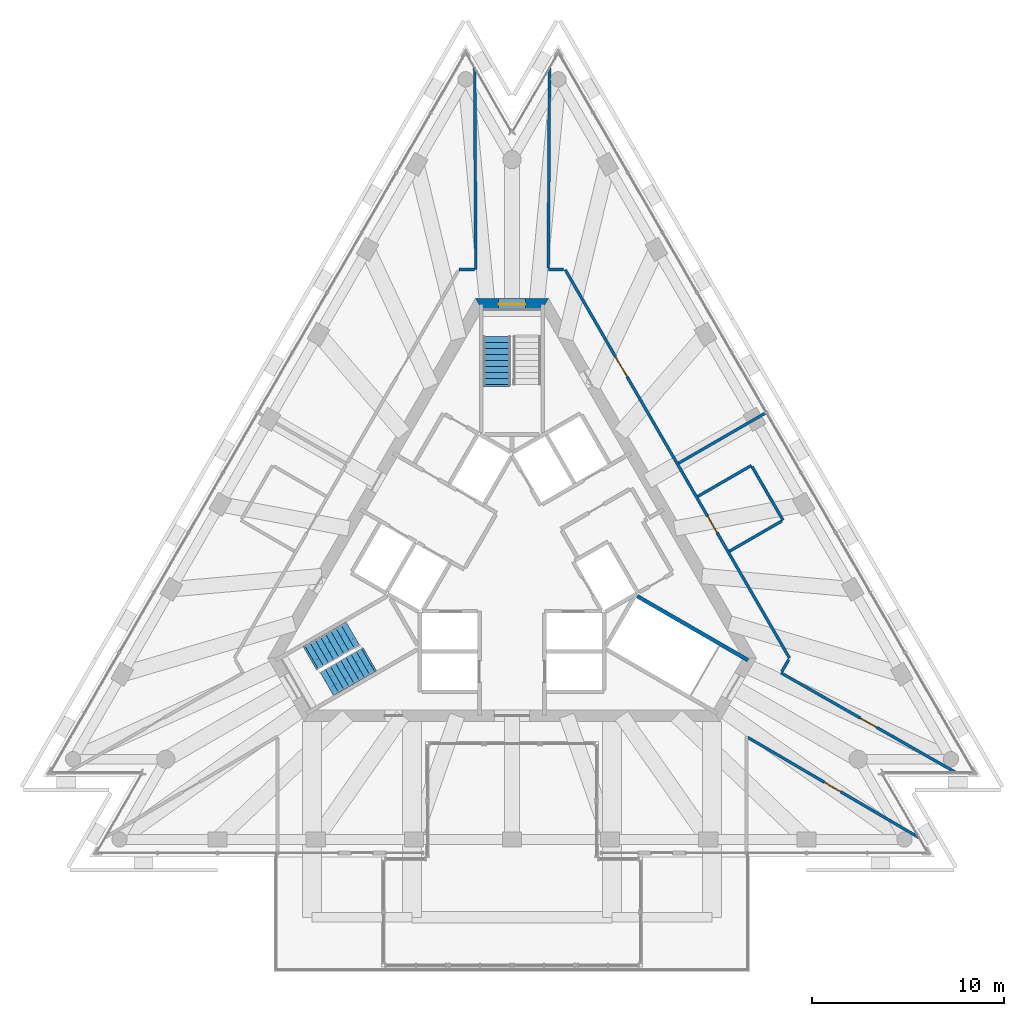
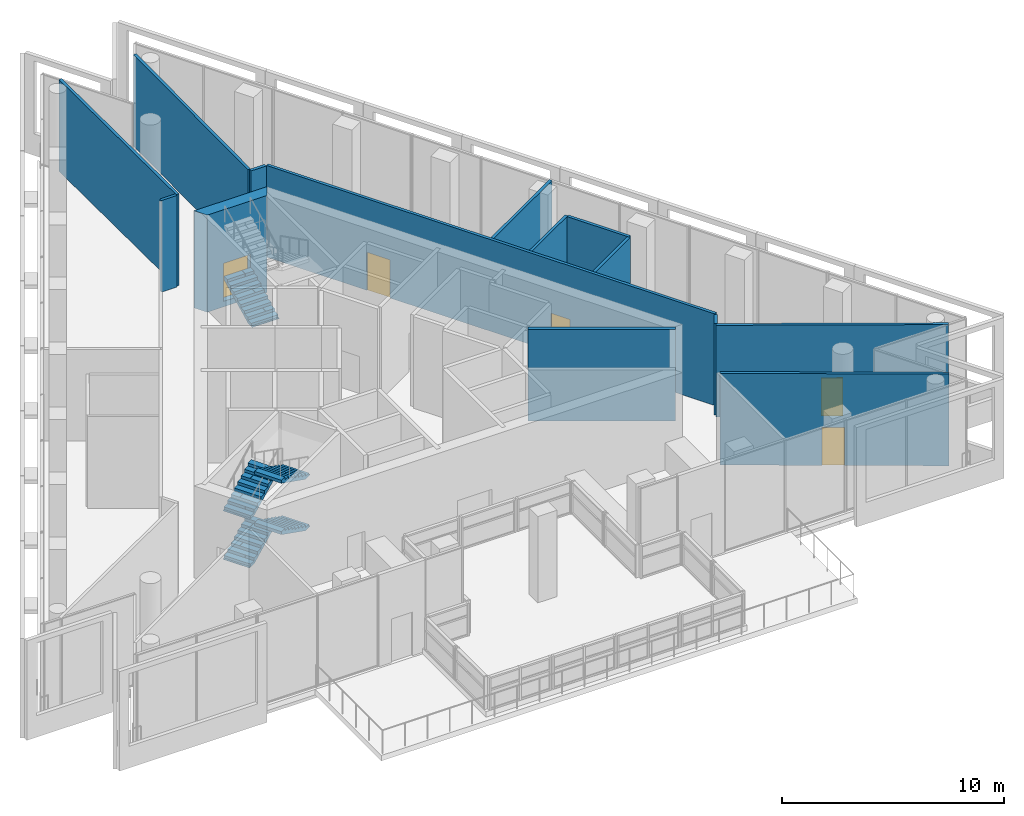
# One storey, part 14 of 17: 14 walls, 5 doors, 5 stair flights, 5 openings, 2 elements without a shape of their own.
"""IFC4 building model written with IfcOpenShell, lengths in metres."""

import ifcopenshell
import ifcopenshell.guid

model = None  # the IFC model being written
_history = None  # IfcOwnerHistory: only IFC2X3 demands one
_inside = {}  # id of a spatial element -> (the spatial element, [elements in it])
_under = {}  # id of a project, library or spatial element -> (it, [spatial elements below it])
_declared = {}  # id of a project -> (the project, [libraries it declares])
_typed = {}  # id of a type object -> (the type object, [elements of that type])
_made_of = {}  # id of a material, layer set ... -> (it, [elements and type objects made of it])


def new_model(schema):
    """Start an empty IFC model of exactly this schema.

    Asked for "IFC4X3", IfcOpenShell would pick the latest addendum, in which some entities
    have other attributes; the version numbers below select the first issue.
    IFC2X3 requires an IfcOwnerHistory on every rooted entity: one is made here for all.
    """
    global model, _history
    if schema == "IFC4X3":
        model = ifcopenshell.file(schema_version=(4, 3, 0, 0))
    else:
        model = ifcopenshell.file(schema=schema)
    _inside.clear()
    _under.clear()
    _declared.clear()
    _typed.clear()
    _made_of.clear()
    _history = None
    if model.schema == "IFC2X3":
        org = make("IfcOrganization", Name="unknown")
        user = make(
            "IfcPersonAndOrganization",
            ThePerson=make("IfcPerson", FamilyName="unknown"),
            TheOrganization=org,
        )
        app = make(
            "IfcApplication",
            ApplicationDeveloper=org,
            Version="unknown",
            ApplicationFullName="unknown",
            ApplicationIdentifier="unknown",
        )
        _history = make(
            "IfcOwnerHistory",
            OwningUser=user,
            OwningApplication=app,
            ChangeAction="ADDED",
            CreationDate=0,
        )
    return model


def make(cls, **values):
    """One entity of the class cls with the attributes given. An attribute that is None is left unset."""
    return model.create_entity(
        cls, **{name: value for name, value in values.items() if value is not None}
    )


def rooted(cls, **values):
    """An entity with a GlobalId (a new one), such as an element, a storey or a relation."""
    return make(cls, GlobalId=ifcopenshell.guid.new(), OwnerHistory=_history, **values)


def si_unit(unit_type, name, prefix=None):
    """IfcSIUnit, for example si_unit("LENGTHUNIT", "METRE", prefix="MILLI")."""
    return make("IfcSIUnit", UnitType=unit_type, Prefix=prefix, Name=name)


def assignment(units):
    """IfcUnitAssignment: the units of a project."""
    return None if units is None else make("IfcUnitAssignment", Units=units)


def point(xyz):
    """IfcCartesianPoint."""
    return None if xyz is None else make("IfcCartesianPoint", Coordinates=xyz)


def direction(xyz):
    """IfcDirection."""
    return None if xyz is None else make("IfcDirection", DirectionRatios=xyz)


def frame(location, z_axis=None, x_axis=None):
    """IfcAxis2Placement3D, a coordinate frame: its origin and axes. An axis left out is left unset."""
    return make(
        "IfcAxis2Placement3D",
        Location=point(location),
        Axis=direction(z_axis),
        RefDirection=direction(x_axis),
    )


def frame_2d(location, x_axis=None):
    """IfcAxis2Placement2D, a coordinate frame in the plane: its origin and x axis."""
    return make(
        "IfcAxis2Placement2D", Location=point(location), RefDirection=direction(x_axis)
    )


def origin():
    """The frame at (0, 0, 0) with its axes left unset."""
    return frame((0.0, 0.0, 0.0))


def place(relative_to, where):
    """IfcLocalPlacement: puts the frame where relative to a parent placement (None: the world)."""
    return make(
        "IfcLocalPlacement", PlacementRelTo=relative_to, RelativePlacement=where
    )


def context(
    kind, dimensions, precision=None, world=None, true_north=None, identifier=None
):
    """IfcGeometricRepresentationContext, for example the 3D "Model" context."""
    return make(
        "IfcGeometricRepresentationContext",
        ContextIdentifier=identifier,
        ContextType=kind,
        CoordinateSpaceDimension=dimensions,
        Precision=precision,
        WorldCoordinateSystem=world,
        TrueNorth=true_north,
    )


def subcontext(parent, identifier, kind, view, scale=None):
    """IfcGeometricRepresentationSubContext, for example "Body" below "Model"."""
    return make(
        "IfcGeometricRepresentationSubContext",
        ContextIdentifier=identifier,
        ContextType=kind,
        ParentContext=parent,
        TargetScale=scale,
        TargetView=view,
    )


def project(units=None, contexts=None):
    """IfcProject with its units and contexts."""
    return rooted(
        "IfcProject",
        Name="project",
        RepresentationContexts=contexts,
        UnitsInContext=assignment(units),
    )


def spatial(cls, under=None, at=None, **own):
    """A site, building, storey or space (cls), placed at a placement, below another one or the project."""
    s = rooted(cls, ObjectPlacement=at, **own)
    if under is not None:
        _under.setdefault(under.id(), (under, []))[1].append(s)
    return s


def polyline(points):
    """IfcPolyline through the points."""
    return make("IfcPolyline", Points=[point(p) for p in points])


def profile(cls, at=None, kind="AREA", **sizes):
    """A parametric profile (cls). Its sizes go by their IFC names, for example OverallWidth=200.0."""
    return make(cls, ProfileType=kind, Position=at, **sizes)


def rectangle(**sizes):
    """IfcRectangleProfileDef."""
    return profile("IfcRectangleProfileDef", **sizes)


def outline(outer, holes=None, kind="AREA"):
    """IfcArbitraryClosedProfileDef: a profile drawn as a closed curve; with holes, ...WithVoids."""
    if holes is None:
        return make("IfcArbitraryClosedProfileDef", ProfileType=kind, OuterCurve=outer)
    return make(
        "IfcArbitraryProfileDefWithVoids",
        ProfileType=kind,
        OuterCurve=outer,
        InnerCurves=holes,
    )


def extrude(swept, where, along, depth):
    """IfcExtrudedAreaSolid: the profile swept, set in the frame where, extruded along a direction by depth."""
    return make(
        "IfcExtrudedAreaSolid",
        SweptArea=swept,
        Position=where,
        ExtrudedDirection=direction(along),
        Depth=depth,
    )


def shape(context_of_items, identifier, shape_type, items):
    """IfcShapeRepresentation: the items that make up one representation, for example the "Body"."""
    return make(
        "IfcShapeRepresentation",
        ContextOfItems=context_of_items,
        RepresentationIdentifier=identifier,
        RepresentationType=shape_type,
        Items=items,
    )


def material(Name=None, Category=None):
    """IfcMaterial."""
    return make("IfcMaterial", Name=Name, Category=Category)


def layer(
    of_material, thickness, ventilated=None, Name=None, Category=None, Priority=None
):
    """IfcMaterialLayer: one layer of a wall or slab, of a material (None: an air gap)."""
    return make(
        "IfcMaterialLayer",
        Material=of_material,
        LayerThickness=thickness,
        IsVentilated=ventilated,
        Name=Name,
        Category=Category,
        Priority=Priority,
    )


def layer_set(layers, Name=None):
    """IfcMaterialLayerSet."""
    return make("IfcMaterialLayerSet", MaterialLayers=layers, LayerSetName=Name)


def made_of(thing, what):
    """Note that an element or type object is made of a material, layer set ...; save() writes the relation."""
    if what is not None:
        _made_of.setdefault(what.id(), (what, []))[1].append(thing)
    return thing


def type_object(cls, material=None, **own):
    """A type object (cls), such as IfcWallType, which elements share."""
    return made_of(rooted(cls, **own), material)


def element(
    cls,
    number,
    at=None,
    inside=None,
    cuts=None,
    type_object=None,
    material=None,
    context=None,
    identifier="Body",
    shape_type=None,
    held_by="IfcProductDefinitionShape",
    body=None,
    shapes=None,
    **own,
):
    """One element of the class cls, such as IfcWall. Its Tag is "e" and its number.

    at: its placement. inside: the storey or other place that contains it. cuts: it is an
    opening in that element (IfcRelVoidsElement). A single representation is given by context,
    identifier, shape_type and body (its items); several are given by shapes. held_by: the class
    of the entity that holds the representations. save() writes the other relations.
    """
    e = rooted(cls, Tag="e%d" % number, ObjectPlacement=at, **own)
    if body is not None:
        shapes = [shape(context, identifier, shape_type, body)]
    if shapes is not None:
        e.Representation = make(held_by, Representations=shapes)
    if inside is not None:
        _inside.setdefault(inside.id(), (inside, []))[1].append(e)
    if cuts is not None:
        rooted(
            "IfcRelVoidsElement", RelatingBuildingElement=cuts, RelatedOpeningElement=e
        )
    if type_object is not None:
        _typed.setdefault(type_object.id(), (type_object, []))[1].append(e)
    return made_of(e, material)


def fill(opening, filler):
    """IfcRelFillsElement: the door or window that sits in an opening."""
    return rooted(
        "IfcRelFillsElement",
        RelatingOpeningElement=opening,
        RelatedBuildingElement=filler,
    )


def aggregate(whole, parts):
    """IfcRelAggregates: a whole, such as a stair, and the parts it consists of."""
    return rooted("IfcRelAggregates", RelatingObject=whole, RelatedObjects=parts)


def save(model, path):
    """Write the relations noted so far, then the file.

    IfcRelAggregates (storeys below a building ...), IfcRelContainedInSpatialStructure (elements
    in a storey), IfcRelDefinesByType, IfcRelAssociatesMaterial and IfcRelDeclares: one each for
    every whole, place, type object, material and project.
    """
    for whole, parts in _under.values():
        aggregate(whole, parts)
    for where, things in _inside.values():
        rooted(
            "IfcRelContainedInSpatialStructure",
            RelatedElements=things,
            RelatingStructure=where,
        )
    for kind, things in _typed.values():
        rooted("IfcRelDefinesByType", RelatedObjects=things, RelatingType=kind)
    for what, things in _made_of.values():
        rooted("IfcRelAssociatesMaterial", RelatedObjects=things, RelatingMaterial=what)
    for by, libraries in _declared.values():
        rooted("IfcRelDeclares", RelatingContext=by, RelatedDefinitions=libraries)
    model.write(path)


model = new_model("IFC4")

# Units and contexts
model_context = context("Model", 3, precision=1e-05, world=origin(), true_north=direction((0.0, 1.0)))
body_context = subcontext(model_context, "Body", "Model", "MODEL_VIEW")
ifc_project = project(units=[si_unit("LENGTHUNIT", "METRE"), si_unit("AREAUNIT", "SQUARE_METRE"), si_unit("VOLUMEUNIT", "CUBIC_METRE"), si_unit("PLANEANGLEUNIT", "RADIAN"), si_unit("MASSUNIT", "GRAM", prefix="KILO")], contexts=[model_context])

# Site, building, storey
site_placement = place(None, origin())
site = spatial("IfcSite", under=ifc_project, at=site_placement, CompositionType="ELEMENT")
building_placement = place(site_placement, origin())
building = spatial("IfcBuilding", under=site, at=building_placement, Name="Triada Interchange Tower", CompositionType="ELEMENT")
storey_placement = place(building_placement, frame((0.0, 0.0, 322.300048828125)))
storey = spatial("IfcBuildingStorey", under=building, at=storey_placement, Name="L77", CompositionType="ELEMENT", Elevation=322.300048828125)

# Wall
ifc_material_1 = material(Name="Concrete C30/37", Category="concrete")
ifc_layer_1 = layer(ifc_material_1, 0.199951171875)
ifc_layer_set_1 = layer_set([ifc_layer_1], Name="CORE WALL 200 REI 240")
wall_type_1 = type_object("IfcWallType", Name="CORE WALL 200 REI 240", PredefinedType="SOLIDWALL", material=ifc_layer_set_1)
wall_1_placement = place(storey_placement, frame((6.529052734375, -1.922119140625, 0.0), z_axis=(0.0, 0.0, 1.0), x_axis=(0.866068467981, -0.499925403204, 0.0)))
element("IfcWall", 1, at=wall_1_placement, inside=storey, type_object=wall_type_1, Name="Wall L77 76", PredefinedType="SOLIDWALL", context=body_context, shape_type="SweptSolid", body=[
    extrude(rectangle(XDim=6.66455078125, YDim=0.199951171875, at=frame_2d((3.332275390625, 0.0))), origin(), (0.0, 0.0, 1.0), 5.050048828125),
])

# Wall, opening, door
ifc_material_2 = material(Name="Concrete C40/50", Category="concrete")
ifc_layer_2 = layer(ifc_material_2, 0.60009765625)
ifc_layer_set_2 = layer_set([ifc_layer_2], Name="Core wall D 600")
wall_type_2 = type_object("IfcWallType", Name="Core wall D 600", PredefinedType="SHEAR", material=ifc_layer_set_2)
wall_2_placement = place(storey_placement, frame((1.73193359375, 13.300048828125, -0.300048828125), z_axis=(0.0, 0.0, 1.0), x_axis=(-1.0, 0.0, 0.0)))
wall_2 = element("IfcWall", 2, at=wall_2_placement, inside=storey, type_object=wall_type_2, Name="Core wall WD01 L77", PredefinedType="SHEAR", context=body_context, shape_type="SweptSolid", body=[
    extrude(outline(polyline([(-0.173095703125, -0.300048828125), (1.73193359375, -0.300048828125), (3.636962890625, -0.300048828125), (3.291015625, 0.300048828125), (1.73193359375, 0.300048828125), (0.173095703125, 0.300048828125), (-0.173095703125, -0.300048828125)])), origin(), (0.0, 0.0, 1.0), 5.35009765625),
])
opening_1_placement = place(wall_2_placement, frame((1.031982421875, 0.0, 0.300048828125)))
opening_1 = element("IfcOpeningElement", 3, at=opening_1_placement, cuts=wall_2, Name="Opening D77-21", PredefinedType="OPENING", context=body_context, shape_type="SweptSolid", body=[
    extrude(rectangle(XDim=1.39990234375, YDim=2.10009765625, at=frame_2d((0.699951171875, 1.050048828125))), frame((0.0, 0.31005859375, 0.0), z_axis=(0.0, -1.0, 0.0), x_axis=(1.0, 0.0, 0.0)), (0.0, 0.0, 1.0), 0.6201171875),
])
ifc_material_3 = material(Name="Steel S235 door leaf", Category="steel")
door_type_1 = type_object("IfcDoorType", Name="STAIR DOOR 1400 EI2 90-C5S200", OperationType="DOUBLE_DOOR_SINGLE_SWING", PredefinedType="DOOR", material=ifc_material_3)
door_1_placement = place(opening_1_placement, origin())
door_1 = element("IfcDoor", 4, at=door_1_placement, inside=storey, type_object=door_type_1, Name="Door D77-21 L77", OperationType="DOUBLE_DOOR_SINGLE_SWING", OverallHeight=2.10009765625, OverallWidth=1.39990234375, PredefinedType="DOOR", context=body_context, shape_type="SweptSolid", body=[
    extrude(rectangle(XDim=1.39990234375, YDim=2.10009765625, at=frame_2d((0.699951171875, 1.050048828125))), frame((0.0, 0.02490234375, 0.0), z_axis=(0.0, -1.0, 0.0), x_axis=(1.0, 0.0, 0.0)), (0.0, 0.0, 1.0), 0.050048828125),
])
fill(opening_1, door_1)

# Walls
ifc_material_4 = material(Name="Gypsum board partition")
ifc_layer_3 = layer(ifc_material_4, 0.14990234375)
ifc_layer_set_3 = layer_set([ifc_layer_3], Name="PARTITION 150")
wall_type_3 = type_object("IfcWallType", Name="PARTITION 150", PredefinedType="PARTITIONING", material=ifc_layer_set_3)
wall_3_placement = place(storey_placement, frame((8.681884765625, 5.011962890625, 0.0), z_axis=(0.0, 0.0, 1.0), x_axis=(0.865981328726, 0.500076332472, 0.0)))
element("IfcWall", 5, at=wall_3_placement, inside=storey, type_object=wall_type_3, Name="Wall L77 16", PredefinedType="PARTITIONING", context=body_context, shape_type="SweptSolid", body=[
    extrude(rectangle(XDim=5.275146484375, YDim=0.14990234375, at=frame_2d((2.6376953125, 0.0))), origin(), (0.0, 0.0, 1.0), 5.050048828125),
])
wall_4_placement = place(storey_placement, frame((9.681884765625, 3.280029296875, 0.0), z_axis=(0.0, 0.0, 1.0), x_axis=(0.86597507116, 0.50008716853, 0.0)))
element("IfcWall", 6, at=wall_4_placement, inside=storey, type_object=wall_type_3, Name="Wall L77 17", PredefinedType="PARTITIONING", context=body_context, shape_type="SweptSolid", body=[
    extrude(rectangle(XDim=3.2255859375, YDim=0.14990234375, at=frame_2d((1.61279296875, 0.0))), origin(), (0.0, 0.0, 1.0), 5.050048828125),
])
wall_5_placement = place(storey_placement, frame((12.511962890625, 4.827880859375, 0.0), z_axis=(0.0, 0.0, 1.0), x_axis=(0.50011994908, -0.865956140074, 0.0)))
element("IfcWall", 7, at=wall_5_placement, inside=storey, type_object=wall_type_3, Name="Wall L77 18", PredefinedType="PARTITIONING", context=body_context, shape_type="SweptSolid", body=[
    extrude(rectangle(XDim=3.225341796875, YDim=0.14990234375, at=frame_2d((1.61279296875, 0.0))), origin(), (0.0, 0.0, 1.0), 5.050048828125),
])
wall_6_placement = place(storey_placement, frame((11.33203125, 0.423095703125, 0.0), z_axis=(0.0, 0.0, 1.0), x_axis=(0.866035871367, 0.499981869177, 0.0)))
element("IfcWall", 8, at=wall_6_placement, inside=storey, type_object=wall_type_3, Name="Wall L77 19", PredefinedType="PARTITIONING", context=body_context, shape_type="SweptSolid", body=[
    extrude(rectangle(XDim=3.14990234375, YDim=0.14990234375, at=frame_2d((1.574951171875, 0.0))), origin(), (0.0, 0.0, 1.0), 5.050048828125),
])
ifc_layer_4 = layer(ifc_material_4, 0.14990234375)
ifc_layer_set_4 = layer_set([ifc_layer_4], Name="PARTITION 150 EI 180")
wall_type_4 = type_object("IfcWallType", Name="PARTITION 150 EI 180", PredefinedType="PARTITIONING", material=ifc_layer_set_4)
wall_7_placement = place(storey_placement, frame((-1.945068359375, 25.60009765625, 0.0), z_axis=(0.0, 0.0, 1.0), x_axis=(0.005626771044, -0.999984169599, 0.0)))
element("IfcWall", 9, at=wall_7_placement, inside=storey, type_object=wall_type_4, Name="Wall L77 2", PredefinedType="PARTITIONING", context=body_context, shape_type="SweptSolid", body=[
    extrude(rectangle(XDim=10.500244140625, YDim=0.14990234375, at=frame_2d((5.25, 0.0))), origin(), (0.0, 0.0, 1.0), 5.050048828125),
])
wall_8_placement = place(storey_placement, frame((-2.77099609375, 15.10009765625, 0.0), z_axis=(0.0, 0.0, 1.0), x_axis=(1.0, 0.0, 0.0)))
element("IfcWall", 10, at=wall_8_placement, inside=storey, type_object=wall_type_4, Name="Wall L77 3", PredefinedType="PARTITIONING", context=body_context, shape_type="SweptSolid", body=[
    extrude(rectangle(XDim=0.81005859375, YDim=0.14990234375, at=frame_2d((0.405029296875, 0.0))), origin(), (0.0, 0.0, 1.0), 5.050048828125),
])

# Wall, openings, doors
ifc_layer_5 = layer(ifc_material_4, 0.14990234375)
ifc_layer_set_5 = layer_set([ifc_layer_5], Name="PARTITION 150 EI 90")
wall_type_5 = type_object("IfcWallType", Name="PARTITION 150 EI 90", PredefinedType="PARTITIONING", material=ifc_layer_set_5)
wall_9_placement = place(storey_placement, frame((2.77099609375, 15.10009765625, 0.0), z_axis=(0.0, 0.0, 1.0), x_axis=(0.500017691629, -0.866015189277, 0.0)))
wall_9 = element("IfcWall", 11, at=wall_9_placement, inside=storey, type_object=wall_type_5, Name="Wall L77 13", PredefinedType="PARTITIONING", context=body_context, shape_type="SweptSolid", body=[
    extrude(rectangle(XDim=23.383056640625, YDim=0.14990234375, at=frame_2d((11.69140625, 0.0))), origin(), (0.0, 0.0, 1.0), 5.050048828125),
])
opening_2_placement = place(wall_9_placement, frame((14.841064453125, 0.0, 0.0)))
opening_2 = element("IfcOpeningElement", 12, at=opening_2_placement, cuts=wall_9, Name="Opening D77-13", PredefinedType="OPENING", context=body_context, shape_type="SweptSolid", body=[
    extrude(rectangle(XDim=1.0, YDim=2.10009765625, at=frame_2d((0.5, 1.050048828125))), frame((0.0, 0.0849609375, 0.0), z_axis=(0.0, -1.0, 0.0), x_axis=(1.0, 0.0, 0.0)), (0.0, 0.0, 1.0), 0.169921875),
])
opening_3_placement = place(wall_9_placement, frame((5.24609375, 0.0, 0.0)))
opening_3 = element("IfcOpeningElement", 13, at=opening_3_placement, cuts=wall_9, Name="Opening D77-15", PredefinedType="OPENING", context=body_context, shape_type="SweptSolid", body=[
    extrude(rectangle(XDim=1.199951171875, YDim=2.10009765625, at=frame_2d((0.60009765625, 1.050048828125))), frame((0.0, 0.0849609375, 0.0), z_axis=(0.0, -1.0, 0.0), x_axis=(1.0, 0.0, 0.0)), (0.0, 0.0, 1.0), 0.169921875),
])
door_type_2 = type_object("IfcDoorType", Name="DOUBLE ROOM DOOR 1200 EI2 45-C5S200", OperationType="DOUBLE_DOOR_SINGLE_SWING", PredefinedType="DOOR", material=ifc_material_3)
door_2_placement = place(opening_3_placement, origin())
door_2 = element("IfcDoor", 14, at=door_2_placement, inside=storey, type_object=door_type_2, Name="Door D77-15 L77", OperationType="DOUBLE_DOOR_SINGLE_SWING", OverallHeight=2.10009765625, OverallWidth=1.199951171875, PredefinedType="DOOR", context=body_context, shape_type="SweptSolid", body=[
    extrude(rectangle(XDim=1.199951171875, YDim=2.10009765625, at=frame_2d((0.60009765625, 1.050048828125))), frame((0.0, 0.02490234375, 0.0), z_axis=(0.0, -1.0, 0.0), x_axis=(1.0, 0.0, 0.0)), (0.0, 0.0, 1.0), 0.050048828125),
])
fill(opening_3, door_2)
door_type_3 = type_object("IfcDoorType", Name="ROOM DOOR 1000 EI2 45-C5S200", OperationType="NOTDEFINED", PredefinedType="DOOR", material=ifc_material_3)
door_3_placement = place(opening_2_placement, origin())
door_3 = element("IfcDoor", 15, at=door_3_placement, inside=storey, type_object=door_type_3, Name="Door D77-13 L77", OperationType="SINGLE_SWING_RIGHT", OverallHeight=2.10009765625, OverallWidth=1.0, PredefinedType="DOOR", context=body_context, shape_type="SweptSolid", body=[
    extrude(rectangle(XDim=1.0, YDim=2.10009765625, at=frame_2d((0.5, 1.050048828125))), frame((0.0, 0.02490234375, 0.0), z_axis=(0.0, -1.0, 0.0), x_axis=(1.0, 0.0, 0.0)), (0.0, 0.0, 1.0), 0.050048828125),
])
fill(opening_2, door_3)

# Walls
wall_10_placement = place(storey_placement, frame((1.89111328125, 15.10009765625, 0.0), z_axis=(0.0, 0.0, 1.0), x_axis=(1.0, 0.0, 0.0)))
element("IfcWall", 16, at=wall_10_placement, inside=storey, type_object=wall_type_5, Name="Wall L77 14", PredefinedType="PARTITIONING", context=body_context, shape_type="SweptSolid", body=[
    extrude(rectangle(XDim=0.7939453125, YDim=0.14990234375, at=frame_2d((0.39697265625, 0.0))), origin(), (0.0, 0.0, 1.0), 5.050048828125),
])
wall_11_placement = place(storey_placement, frame((1.89111328125, 15.175048828125, 0.0), z_axis=(0.0, 0.0, 1.0), x_axis=(0.006033848716, 0.999981796169, 0.0)))
element("IfcWall", 17, at=wall_11_placement, inside=storey, type_object=wall_type_5, Name="Wall L77 15", PredefinedType="PARTITIONING", context=body_context, shape_type="SweptSolid", body=[
    extrude(rectangle(XDim=10.439208984375, YDim=0.14990234375, at=frame_2d((5.2197265625, 0.0))), origin(), (0.0, 0.0, 1.0), 5.050048828125),
])

# Wall, opening, door
wall_12_placement = place(storey_placement, frame((14.02001953125, -5.9169921875, 0.0), z_axis=(0.0, 0.0, 1.0), x_axis=(0.868887676317, -0.495009298846, 0.0)))
wall_12 = element("IfcWall", 18, at=wall_12_placement, inside=storey, type_object=wall_type_5, Name="Wall L77 20", PredefinedType="PARTITIONING", context=body_context, shape_type="SweptSolid", body=[
    extrude(rectangle(XDim=10.500732421875, YDim=0.14990234375, at=frame_2d((5.25048828125, 0.0))), origin(), (0.0, 0.0, 1.0), 5.050048828125),
])
opening_4_placement = place(wall_12_placement, frame((4.75, 0.0, 0.0)))
opening_4 = element("IfcOpeningElement", 19, at=opening_4_placement, cuts=wall_12, Name="Opening D77-14", PredefinedType="OPENING", context=body_context, shape_type="SweptSolid", body=[
    extrude(rectangle(XDim=1.0, YDim=2.10009765625, at=frame_2d((0.5, 1.050048828125))), frame((0.0, 0.0849609375, 0.0), z_axis=(0.0, -1.0, 0.0), x_axis=(1.0, 0.0, 0.0)), (0.0, 0.0, 1.0), 0.169921875),
])
door_4_placement = place(opening_4_placement, origin())
door_4 = element("IfcDoor", 20, at=door_4_placement, inside=storey, type_object=door_type_3, Name="Door D77-14 L77", OperationType="SINGLE_SWING_RIGHT", OverallHeight=2.10009765625, OverallWidth=1.0, PredefinedType="DOOR", context=body_context, shape_type="SweptSolid", body=[
    extrude(rectangle(XDim=1.0, YDim=2.10009765625, at=frame_2d((0.5, 1.050048828125))), frame((0.0, 0.02490234375, 0.0), z_axis=(0.0, -1.0, 0.0), x_axis=(1.0, 0.0, 0.0)), (0.0, 0.0, 1.0), 0.050048828125),
])
fill(opening_4, door_4)

# Wall
wall_13_placement = place(storey_placement, frame((14.05810546875, -5.85205078125, 0.0), z_axis=(0.0, 0.0, 1.0), x_axis=(0.498826179569, 0.866702049482, 0.0)))
element("IfcWall", 21, at=wall_13_placement, inside=storey, type_object=wall_type_5, Name="Wall L77 21", PredefinedType="PARTITIONING", context=body_context, shape_type="SweptSolid", body=[
    extrude(rectangle(XDim=0.723388671875, YDim=0.14990234375, at=frame_2d((0.36181640625, 0.0))), origin(), (0.0, 0.0, 1.0), 5.050048828125),
])

# Wall, opening, door
wall_14_placement = place(storey_placement, frame((12.2890625, -9.279052734375, 0.0), z_axis=(0.0, 0.0, 1.0), x_axis=(0.862979037459, -0.505239726175, 0.0)))
wall_14 = element("IfcWall", 22, at=wall_14_placement, inside=storey, type_object=wall_type_5, Name="Wall L77 23", PredefinedType="PARTITIONING", context=body_context, shape_type="SweptSolid", body=[
    extrude(rectangle(XDim=10.331787109375, YDim=0.14990234375, at=frame_2d((5.166015625, 0.0))), origin(), (0.0, 0.0, 1.0), 5.050048828125),
])
opening_5_placement = place(wall_14_placement, frame((4.6220703125, 0.0, 0.0)))
opening_5 = element("IfcOpeningElement", 23, at=opening_5_placement, cuts=wall_14, Name="Opening D77-16", PredefinedType="OPENING", context=body_context, shape_type="SweptSolid", body=[
    extrude(rectangle(XDim=1.0, YDim=2.10009765625, at=frame_2d((0.5, 1.050048828125))), frame((0.0, 0.0849609375, 0.0), z_axis=(0.0, -1.0, 0.0), x_axis=(1.0, 0.0, 0.0)), (0.0, 0.0, 1.0), 0.169921875),
])
door_5_placement = place(opening_5_placement, origin())
door_5 = element("IfcDoor", 24, at=door_5_placement, inside=storey, type_object=door_type_3, Name="Door D77-16 L77", OperationType="SINGLE_SWING_LEFT", OverallHeight=2.10009765625, OverallWidth=1.0, PredefinedType="DOOR", context=body_context, shape_type="SweptSolid", body=[
    extrude(rectangle(XDim=1.0, YDim=2.10009765625, at=frame_2d((0.5, 1.050048828125))), frame((0.0, 0.02490234375, 0.0), z_axis=(0.0, -1.0, 0.0), x_axis=(1.0, 0.0, 0.0)), (0.0, 0.0, 1.0), 0.050048828125),
])
fill(opening_5, door_5)

# Stair, stair flight
ifc_material_5 = material(Name="Concrete C35/45", Category="concrete")
stair_type = type_object("IfcStairType", Name="HALF TURN STAIR 1400", PredefinedType="HALF_TURN_STAIR", material=ifc_material_5)
stair_1_placement = place(storey_placement, origin())
stair_1 = element("IfcStair", 25, at=stair_1_placement, inside=storey, type_object=stair_type, Name="Exit stair S77-1", PredefinedType="HALF_TURN_STAIR")
stair_flight_type = type_object("IfcStairFlightType", Name="STRAIGHT STAIR FLIGHT 1400", PredefinedType="STRAIGHT", material=ifc_material_5)
stair_flight_1_placement = place(storey_placement, frame((-0.800048828125, 9.1201171875, 1.257080078125), z_axis=(0.0, 0.0, 1.0), x_axis=(0.0, 1.0, 0.0)))
stair_flight_1 = element("IfcStairFlight", 26, at=stair_flight_1_placement, type_object=stair_flight_type, Name="S77-1 flight 2", NumberOfRisers=9, NumberOfTreads=8, PredefinedType="STRAIGHT", RiserHeight=0.15714, TreadLength=0.31, context=body_context, shape_type="SweptSolid", body=[
    extrude(outline(polyline([(-0.10009765625, 0.0), (-0.10009765625, 0.02001953125), (0.0, 0.02001953125), (0.0, 0.1572265625), (0.31005859375, 0.1572265625), (0.31005859375, 0.314208984375), (0.6201171875, 0.314208984375), (0.6201171875, 0.471435546875), (0.929931640625, 0.471435546875), (0.929931640625, 0.628662109375), (1.239990234375, 0.628662109375), (1.239990234375, 0.78564453125), (1.550048828125, 0.78564453125), (1.550048828125, 0.94287109375), (1.860107421875, 0.94287109375), (1.860107421875, 1.10009765625), (2.169921875, 1.10009765625), (2.169921875, 1.257080078125), (2.47998046875, 1.257080078125), (2.48388671875, 1.257080078125), (2.48388671875, 1.414306640625), (2.48388671875, 1.089111328125), (0.33154296875, 0.0), (-0.10009765625, 0.0)])), frame((0.0, 0.699951171875, 0.0), z_axis=(0.0, -1.0, 0.0), x_axis=(1.0, 0.0, 0.0)), (0.0, 0.0, 1.0), 0.46533203125),
    extrude(outline(polyline([(-0.10009765625, 0.0), (-0.10009765625, 0.02001953125), (0.0, 0.02001953125), (0.0, 0.1572265625), (0.31005859375, 0.1572265625), (0.31005859375, 0.314208984375), (0.6201171875, 0.314208984375), (0.6201171875, 0.471435546875), (0.929931640625, 0.471435546875), (0.929931640625, 0.628662109375), (1.239990234375, 0.628662109375), (1.239990234375, 0.78564453125), (1.550048828125, 0.78564453125), (1.550048828125, 0.94287109375), (1.860107421875, 0.94287109375), (1.860107421875, 1.10009765625), (2.169921875, 1.10009765625), (2.169921875, 1.257080078125), (2.47998046875, 1.257080078125), (2.48388671875, 1.257080078125), (2.48388671875, 1.414306640625), (2.48388671875, 1.089111328125), (0.33154296875, 0.0), (-0.10009765625, 0.0)])), frame((0.0, 0.232666015625, 0.0), z_axis=(0.0, -1.0, 0.0), x_axis=(1.0, 0.0, 0.0)), (0.0, 0.0, 1.0), 0.46533203125),
    extrude(outline(polyline([(-0.10009765625, 0.0), (-0.10009765625, 0.02001953125), (0.0, 0.02001953125), (0.0, 0.1572265625), (0.31005859375, 0.1572265625), (0.31005859375, 0.314208984375), (0.6201171875, 0.314208984375), (0.6201171875, 0.471435546875), (0.929931640625, 0.471435546875), (0.929931640625, 0.628662109375), (1.239990234375, 0.628662109375), (1.239990234375, 0.78564453125), (1.550048828125, 0.78564453125), (1.550048828125, 0.94287109375), (1.860107421875, 0.94287109375), (1.860107421875, 1.10009765625), (2.169921875, 1.10009765625), (2.169921875, 1.257080078125), (2.47998046875, 1.257080078125), (2.48388671875, 1.257080078125), (2.48388671875, 1.414306640625), (2.48388671875, 1.089111328125), (0.33154296875, 0.0), (-0.10009765625, 0.0)])), frame((0.0, -0.234619140625, 0.0), z_axis=(0.0, -1.0, 0.0), x_axis=(1.0, 0.0, 0.0)), (0.0, 0.0, 1.0), 0.46533203125),
])
aggregate(stair_1, [stair_flight_1])

# Stair, stair flights
stair_2_placement = place(storey_placement, origin())
stair_2 = element("IfcStair", 27, at=stair_2_placement, inside=storey, type_object=stair_type, Name="Exit stair S77-2", PredefinedType="HALF_TURN_STAIR")
stair_flight_2_placement = place(storey_placement, frame((-10.446044921875, -5.10693359375, 0.0), z_axis=(0.0, 0.0, 1.0), x_axis=(0.866025403784, 0.5, 0.0)))
stair_flight_2 = element("IfcStairFlight", 28, at=stair_flight_2_placement, type_object=stair_flight_type, Name="S77-2 flight 1", NumberOfRisers=8, NumberOfTreads=7, PredefinedType="STRAIGHT", RiserHeight=0.15714, TreadLength=0.31, context=body_context, shape_type="SweptSolid", body=[
    extrude(outline(polyline([(-0.10009765625, 0.0), (-0.10009765625, 0.02001953125), (0.0, 0.02001953125), (0.0, 0.1572265625), (0.31005859375, 0.1572265625), (0.31005859375, 0.314208984375), (0.6201171875, 0.314208984375), (0.6201171875, 0.471435546875), (0.929931640625, 0.471435546875), (0.929931640625, 0.628662109375), (1.239990234375, 0.628662109375), (1.239990234375, 0.78564453125), (1.550048828125, 0.78564453125), (1.550048828125, 0.94287109375), (1.860107421875, 0.94287109375), (1.860107421875, 1.10009765625), (2.169921875, 1.10009765625), (2.174072265625, 1.10009765625), (2.174072265625, 1.257080078125), (2.174072265625, 0.931884765625), (0.33154296875, 0.0), (-0.10009765625, 0.0)])), frame((0.0, 0.699951171875, 0.0), z_axis=(0.0, -1.0, 0.0), x_axis=(1.0, 0.0, 0.0)), (0.0, 0.0, 1.0), 0.46533203125),
    extrude(outline(polyline([(-0.10009765625, 0.0), (-0.10009765625, 0.02001953125), (0.0, 0.02001953125), (0.0, 0.1572265625), (0.31005859375, 0.1572265625), (0.31005859375, 0.314208984375), (0.6201171875, 0.314208984375), (0.6201171875, 0.471435546875), (0.929931640625, 0.471435546875), (0.929931640625, 0.628662109375), (1.239990234375, 0.628662109375), (1.239990234375, 0.78564453125), (1.550048828125, 0.78564453125), (1.550048828125, 0.94287109375), (1.860107421875, 0.94287109375), (1.860107421875, 1.10009765625), (2.169921875, 1.10009765625), (2.174072265625, 1.10009765625), (2.174072265625, 1.257080078125), (2.174072265625, 0.931884765625), (0.33154296875, 0.0), (-0.10009765625, 0.0)])), frame((0.0, 0.232666015625, 0.0), z_axis=(0.0, -1.0, 0.0), x_axis=(1.0, 0.0, 0.0)), (0.0, 0.0, 1.0), 0.46533203125),
    extrude(outline(polyline([(-0.10009765625, 0.0), (-0.10009765625, 0.02001953125), (0.0, 0.02001953125), (0.0, 0.1572265625), (0.31005859375, 0.1572265625), (0.31005859375, 0.314208984375), (0.6201171875, 0.314208984375), (0.6201171875, 0.471435546875), (0.929931640625, 0.471435546875), (0.929931640625, 0.628662109375), (1.239990234375, 0.628662109375), (1.239990234375, 0.78564453125), (1.550048828125, 0.78564453125), (1.550048828125, 0.94287109375), (1.860107421875, 0.94287109375), (1.860107421875, 1.10009765625), (2.169921875, 1.10009765625), (2.174072265625, 1.10009765625), (2.174072265625, 1.257080078125), (2.174072265625, 0.931884765625), (0.33154296875, 0.0), (-0.10009765625, 0.0)])), frame((0.0, -0.234619140625, 0.0), z_axis=(0.0, -1.0, 0.0), x_axis=(1.0, 0.0, 0.0)), (0.0, 0.0, 1.0), 0.46533203125),
])
stair_flight_3_placement = place(storey_placement, frame((-7.498046875, -5.2529296875, 1.257080078125), z_axis=(0.0, 0.0, 1.0), x_axis=(-0.866025403784, -0.5, 0.0)))
stair_flight_3 = element("IfcStairFlight", 29, at=stair_flight_3_placement, type_object=stair_flight_type, Name="S77-2 flight 2", NumberOfRisers=9, NumberOfTreads=8, PredefinedType="STRAIGHT", RiserHeight=0.15714, TreadLength=0.31, context=body_context, shape_type="SweptSolid", body=[
    extrude(outline(polyline([(-0.10009765625, 0.0), (-0.10009765625, 0.02001953125), (0.0, 0.02001953125), (0.0, 0.1572265625), (0.31005859375, 0.1572265625), (0.31005859375, 0.314208984375), (0.6201171875, 0.314208984375), (0.6201171875, 0.471435546875), (0.929931640625, 0.471435546875), (0.929931640625, 0.628662109375), (1.239990234375, 0.628662109375), (1.239990234375, 0.78564453125), (1.550048828125, 0.78564453125), (1.550048828125, 0.94287109375), (1.860107421875, 0.94287109375), (1.860107421875, 1.10009765625), (2.169921875, 1.10009765625), (2.169921875, 1.257080078125), (2.47998046875, 1.257080078125), (2.48388671875, 1.257080078125), (2.48388671875, 1.414306640625), (2.48388671875, 1.089111328125), (0.33154296875, 0.0), (-0.10009765625, 0.0)])), frame((0.0, 0.699951171875, 0.0), z_axis=(0.0, -1.0, 0.0), x_axis=(1.0, 0.0, 0.0)), (0.0, 0.0, 1.0), 0.46533203125),
    extrude(outline(polyline([(-0.10009765625, 0.0), (-0.10009765625, 0.02001953125), (0.0, 0.02001953125), (0.0, 0.1572265625), (0.31005859375, 0.1572265625), (0.31005859375, 0.314208984375), (0.6201171875, 0.314208984375), (0.6201171875, 0.471435546875), (0.929931640625, 0.471435546875), (0.929931640625, 0.628662109375), (1.239990234375, 0.628662109375), (1.239990234375, 0.78564453125), (1.550048828125, 0.78564453125), (1.550048828125, 0.94287109375), (1.860107421875, 0.94287109375), (1.860107421875, 1.10009765625), (2.169921875, 1.10009765625), (2.169921875, 1.257080078125), (2.47998046875, 1.257080078125), (2.48388671875, 1.257080078125), (2.48388671875, 1.414306640625), (2.48388671875, 1.089111328125), (0.33154296875, 0.0), (-0.10009765625, 0.0)])), frame((0.0, 0.232666015625, 0.0), z_axis=(0.0, -1.0, 0.0), x_axis=(1.0, 0.0, 0.0)), (0.0, 0.0, 1.0), 0.46533203125),
    extrude(outline(polyline([(-0.10009765625, 0.0), (-0.10009765625, 0.02001953125), (0.0, 0.02001953125), (0.0, 0.1572265625), (0.31005859375, 0.1572265625), (0.31005859375, 0.314208984375), (0.6201171875, 0.314208984375), (0.6201171875, 0.471435546875), (0.929931640625, 0.471435546875), (0.929931640625, 0.628662109375), (1.239990234375, 0.628662109375), (1.239990234375, 0.78564453125), (1.550048828125, 0.78564453125), (1.550048828125, 0.94287109375), (1.860107421875, 0.94287109375), (1.860107421875, 1.10009765625), (2.169921875, 1.10009765625), (2.169921875, 1.257080078125), (2.47998046875, 1.257080078125), (2.48388671875, 1.257080078125), (2.48388671875, 1.414306640625), (2.48388671875, 1.089111328125), (0.33154296875, 0.0), (-0.10009765625, 0.0)])), frame((0.0, -0.234619140625, 0.0), z_axis=(0.0, -1.0, 0.0), x_axis=(1.0, 0.0, 0.0)), (0.0, 0.0, 1.0), 0.46533203125),
])
stair_flight_4_placement = place(storey_placement, frame((-10.446044921875, -5.10693359375, 2.67138671875), z_axis=(0.0, 0.0, 1.0), x_axis=(0.866025403784, 0.5, 0.0)))
stair_flight_4 = element("IfcStairFlight", 30, at=stair_flight_4_placement, type_object=stair_flight_type, Name="S77-2 flight 3", NumberOfRisers=9, NumberOfTreads=8, PredefinedType="STRAIGHT", RiserHeight=0.15714, TreadLength=0.31, context=body_context, shape_type="SweptSolid", body=[
    extrude(outline(polyline([(-0.10009765625, 0.0), (-0.10009765625, 0.02001953125), (0.0, 0.02001953125), (0.0, 0.1572265625), (0.31005859375, 0.1572265625), (0.31005859375, 0.314208984375), (0.6201171875, 0.314208984375), (0.6201171875, 0.471435546875), (0.929931640625, 0.471435546875), (0.929931640625, 0.628662109375), (1.239990234375, 0.628662109375), (1.239990234375, 0.78564453125), (1.550048828125, 0.78564453125), (1.550048828125, 0.94287109375), (1.860107421875, 0.94287109375), (1.860107421875, 1.10009765625), (2.169921875, 1.10009765625), (2.169921875, 1.257080078125), (2.47998046875, 1.257080078125), (2.48388671875, 1.257080078125), (2.48388671875, 1.414306640625), (2.48388671875, 1.089111328125), (0.33154296875, 0.0), (-0.10009765625, 0.0)])), frame((0.0, 0.699951171875, 0.0), z_axis=(0.0, -1.0, 0.0), x_axis=(1.0, 0.0, 0.0)), (0.0, 0.0, 1.0), 0.46533203125),
    extrude(outline(polyline([(-0.10009765625, 0.0), (-0.10009765625, 0.02001953125), (0.0, 0.02001953125), (0.0, 0.1572265625), (0.31005859375, 0.1572265625), (0.31005859375, 0.314208984375), (0.6201171875, 0.314208984375), (0.6201171875, 0.471435546875), (0.929931640625, 0.471435546875), (0.929931640625, 0.628662109375), (1.239990234375, 0.628662109375), (1.239990234375, 0.78564453125), (1.550048828125, 0.78564453125), (1.550048828125, 0.94287109375), (1.860107421875, 0.94287109375), (1.860107421875, 1.10009765625), (2.169921875, 1.10009765625), (2.169921875, 1.257080078125), (2.47998046875, 1.257080078125), (2.48388671875, 1.257080078125), (2.48388671875, 1.414306640625), (2.48388671875, 1.089111328125), (0.33154296875, 0.0), (-0.10009765625, 0.0)])), frame((0.0, 0.232666015625, 0.0), z_axis=(0.0, -1.0, 0.0), x_axis=(1.0, 0.0, 0.0)), (0.0, 0.0, 1.0), 0.46533203125),
    extrude(outline(polyline([(-0.10009765625, 0.0), (-0.10009765625, 0.02001953125), (0.0, 0.02001953125), (0.0, 0.1572265625), (0.31005859375, 0.1572265625), (0.31005859375, 0.314208984375), (0.6201171875, 0.314208984375), (0.6201171875, 0.471435546875), (0.929931640625, 0.471435546875), (0.929931640625, 0.628662109375), (1.239990234375, 0.628662109375), (1.239990234375, 0.78564453125), (1.550048828125, 0.78564453125), (1.550048828125, 0.94287109375), (1.860107421875, 0.94287109375), (1.860107421875, 1.10009765625), (2.169921875, 1.10009765625), (2.169921875, 1.257080078125), (2.47998046875, 1.257080078125), (2.48388671875, 1.257080078125), (2.48388671875, 1.414306640625), (2.48388671875, 1.089111328125), (0.33154296875, 0.0), (-0.10009765625, 0.0)])), frame((0.0, -0.234619140625, 0.0), z_axis=(0.0, -1.0, 0.0), x_axis=(1.0, 0.0, 0.0)), (0.0, 0.0, 1.0), 0.46533203125),
])
stair_flight_5_placement = place(storey_placement, frame((-7.498046875, -5.2529296875, 4.08544921875), z_axis=(0.0, 0.0, 1.0), x_axis=(-0.866025403784, -0.5, 0.0)))
stair_flight_5 = element("IfcStairFlight", 31, at=stair_flight_5_placement, type_object=stair_flight_type, Name="S77-2 flight 4", NumberOfRisers=9, NumberOfTreads=8, PredefinedType="STRAIGHT", RiserHeight=0.15714, TreadLength=0.31, context=body_context, shape_type="SweptSolid", body=[
    extrude(outline(polyline([(-0.10009765625, 0.0), (-0.10009765625, 0.02001953125), (0.0, 0.02001953125), (0.0, 0.1572265625), (0.31005859375, 0.1572265625), (0.31005859375, 0.314208984375), (0.6201171875, 0.314208984375), (0.6201171875, 0.471435546875), (0.929931640625, 0.471435546875), (0.929931640625, 0.628662109375), (1.239990234375, 0.628662109375), (1.239990234375, 0.78564453125), (1.550048828125, 0.78564453125), (1.550048828125, 0.94287109375), (1.860107421875, 0.94287109375), (1.860107421875, 1.10009765625), (2.169921875, 1.10009765625), (2.169921875, 1.257080078125), (2.47998046875, 1.257080078125), (2.48388671875, 1.257080078125), (2.48388671875, 1.414306640625), (2.48388671875, 1.089111328125), (0.33154296875, 0.0), (-0.10009765625, 0.0)])), frame((0.0, 0.699951171875, 0.0), z_axis=(0.0, -1.0, 0.0), x_axis=(1.0, 0.0, 0.0)), (0.0, 0.0, 1.0), 0.46533203125),
    extrude(outline(polyline([(-0.10009765625, 0.0), (-0.10009765625, 0.02001953125), (0.0, 0.02001953125), (0.0, 0.1572265625), (0.31005859375, 0.1572265625), (0.31005859375, 0.314208984375), (0.6201171875, 0.314208984375), (0.6201171875, 0.471435546875), (0.929931640625, 0.471435546875), (0.929931640625, 0.628662109375), (1.239990234375, 0.628662109375), (1.239990234375, 0.78564453125), (1.550048828125, 0.78564453125), (1.550048828125, 0.94287109375), (1.860107421875, 0.94287109375), (1.860107421875, 1.10009765625), (2.169921875, 1.10009765625), (2.169921875, 1.257080078125), (2.47998046875, 1.257080078125), (2.48388671875, 1.257080078125), (2.48388671875, 1.414306640625), (2.48388671875, 1.089111328125), (0.33154296875, 0.0), (-0.10009765625, 0.0)])), frame((0.0, 0.232666015625, 0.0), z_axis=(0.0, -1.0, 0.0), x_axis=(1.0, 0.0, 0.0)), (0.0, 0.0, 1.0), 0.46533203125),
    extrude(outline(polyline([(-0.10009765625, 0.0), (-0.10009765625, 0.02001953125), (0.0, 0.02001953125), (0.0, 0.1572265625), (0.31005859375, 0.1572265625), (0.31005859375, 0.314208984375), (0.6201171875, 0.314208984375), (0.6201171875, 0.471435546875), (0.929931640625, 0.471435546875), (0.929931640625, 0.628662109375), (1.239990234375, 0.628662109375), (1.239990234375, 0.78564453125), (1.550048828125, 0.78564453125), (1.550048828125, 0.94287109375), (1.860107421875, 0.94287109375), (1.860107421875, 1.10009765625), (2.169921875, 1.10009765625), (2.169921875, 1.257080078125), (2.47998046875, 1.257080078125), (2.48388671875, 1.257080078125), (2.48388671875, 1.414306640625), (2.48388671875, 1.089111328125), (0.33154296875, 0.0), (-0.10009765625, 0.0)])), frame((0.0, -0.234619140625, 0.0), z_axis=(0.0, -1.0, 0.0), x_axis=(1.0, 0.0, 0.0)), (0.0, 0.0, 1.0), 0.46533203125),
])
aggregate(stair_2, [stair_flight_2, stair_flight_3, stair_flight_4, stair_flight_5])

save(model, "model.ifc")
